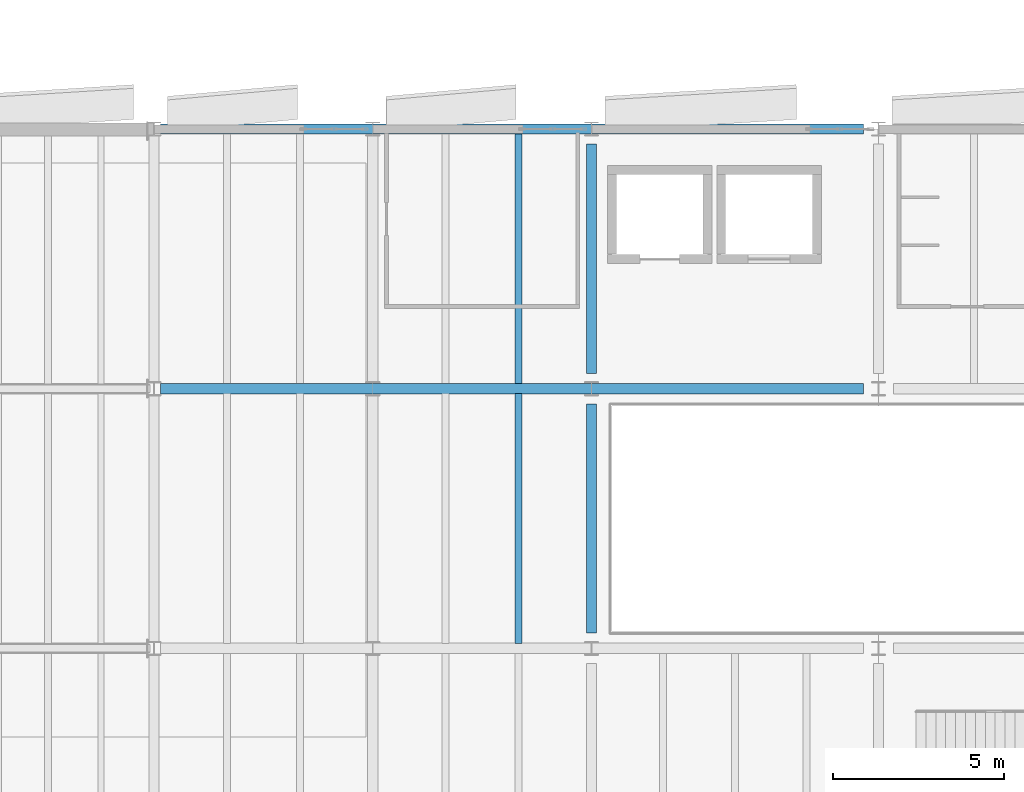
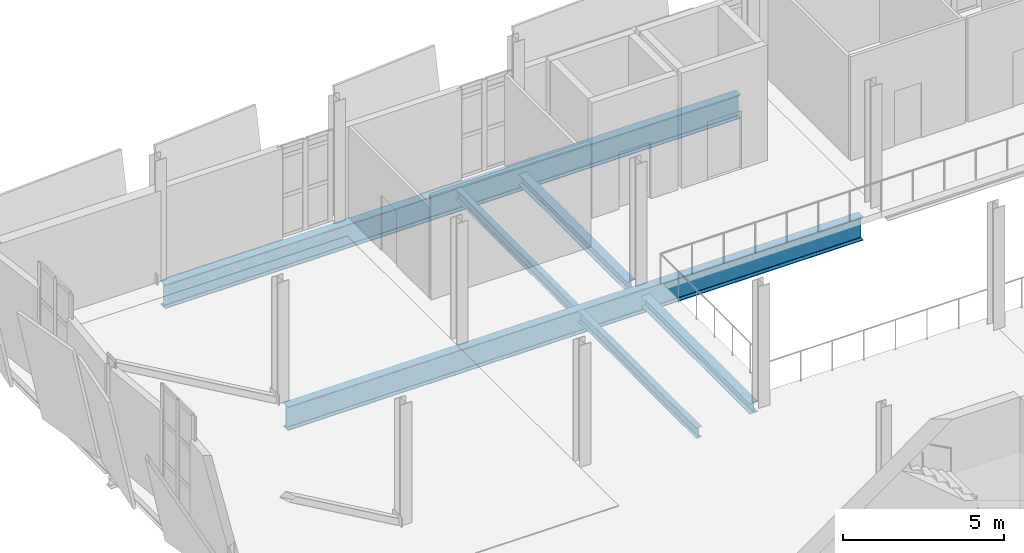
# One storey, part 65 of 172: 6 beams.
"""IFC4 building model written with IfcOpenShell, lengths in metres."""

from ifc_helpers import new_model, si_unit, direction, frame, origin, origin_2d, place, context, subcontext, project, spatial, i_section, extrude, material, material_profile, profile_set, type_object, element, save


model = new_model("IFC4")

# Units and contexts
model_context = context("Model", 3, precision=1e-05, world=origin(), true_north=direction((0.0, 1.0)))
body_context = subcontext(model_context, "Body", "Model", "MODEL_VIEW")
ifc_project = project(units=[si_unit("LENGTHUNIT", "METRE"), si_unit("AREAUNIT", "SQUARE_METRE"), si_unit("VOLUMEUNIT", "CUBIC_METRE"), si_unit("PLANEANGLEUNIT", "RADIAN"), si_unit("MASSUNIT", "GRAM", prefix="KILO")], contexts=[model_context])

# Site, building, storey
site_placement = place(None, origin())
site = spatial("IfcSite", under=ifc_project, at=site_placement, CompositionType="ELEMENT")
building_placement = place(site_placement, origin())
building = spatial("IfcBuilding", under=site, at=building_placement, Name="Shengluoqiao Park Theatre", CompositionType="ELEMENT")
storey_placement = place(building_placement, frame((0.0, 0.0, 5.39990234375)))
storey = spatial("IfcBuildingStorey", under=building, at=storey_placement, Name="L01", CompositionType="ELEMENT", Elevation=5.39990234375)

# Beams
ifc_material_1 = material(Name="Steel Q355", Category="steel")
ifc_material_profile_1 = material_profile(ifc_material_1, i_section(OverallWidth=0.300048828125, OverallDepth=0.389892578125, WebThickness=0.010009765625, FlangeThickness=0.01611328125, FilletRadius=0.01806640625, at=origin_2d()), Name="HM 390x300x10x16")
ifc_profile_set_1 = profile_set([ifc_material_profile_1], Name="Steel Q355")
beam_type_1 = type_object("IfcBeamType", Name="STR-BM-G-HM390", PredefinedType="BEAM", material=ifc_profile_set_1)
beam_1_placement = place(storey_placement, frame((19.199951171875, 61.243896484375, -0.434814453125), z_axis=(0.0, 1.0, 0.0), x_axis=(-1.0, 0.0, 0.0)))
element("IfcBeam", 1, at=beam_1_placement, inside=storey, type_object=beam_type_1, Name="L01 Transverse Girder 00464", PredefinedType="BEAM", context=body_context, shape_type="SweptSolid", body=[
    extrude(i_section(OverallWidth=0.300048828125, OverallDepth=0.389892578125, WebThickness=0.010009765625, FlangeThickness=0.01611328125, FilletRadius=0.01806640625, at=origin_2d()), origin(), (0.0, 0.0, 1.0), 6.712158203125),
])
beam_2_placement = place(storey_placement, frame((19.199951171875, 68.843994140625, -0.434814453125), z_axis=(0.0, 1.0, 0.0), x_axis=(-1.0, 0.0, 0.0)))
element("IfcBeam", 2, at=beam_2_placement, inside=storey, type_object=beam_type_1, Name="L01 Transverse Girder 00465", PredefinedType="BEAM", context=body_context, shape_type="SweptSolid", body=[
    extrude(i_section(OverallWidth=0.300048828125, OverallDepth=0.389892578125, WebThickness=0.010009765625, FlangeThickness=0.01611328125, FilletRadius=0.01806640625, at=origin_2d()), origin(), (0.0, 0.0, 1.0), 6.7119140625),
])
ifc_material_2 = material(Name="Steel Q390", Category="steel")
ifc_material_profile_2 = material_profile(ifc_material_2, i_section(OverallWidth=0.300048828125, OverallDepth=0.89990234375, WebThickness=0.01611328125, FlangeThickness=0.028076171875, FilletRadius=0.028076171875, at=origin_2d()), Name="HN 900x300x16x28")
ifc_profile_set_2 = profile_set([ifc_material_profile_2], Name="Steel Q390")
beam_type_2 = type_object("IfcBeamType", Name="STR-BM-G-HN900", PredefinedType="BEAM", material=ifc_profile_set_2)
for number, where, z_axis, x_axis, name in (
    (3, (6.590576171875, 68.39990234375, -0.68994140625), (1.0, 0.0, 0.0), (0.0, 1.0, 0.0), "CT-V5-2 L01 Continuous Back-Span Chord"),
    (4, (6.590576171875, 76.0, -0.68994140625), (1.0, 0.0, 0.0), (0.0, 1.0, 0.0), "CT-V5-3 L01 Continuous Back-Span Chord"),
):
    element("IfcBeam", number, at=place(storey_placement, frame(where, z_axis=z_axis, x_axis=x_axis)), inside=storey, type_object=beam_type_2, Name=name, PredefinedType="BEAM", context=body_context, shape_type="SweptSolid", body=[
        extrude(i_section(OverallWidth=0.300048828125, OverallDepth=0.89990234375, WebThickness=0.01611328125, FlangeThickness=0.028076171875, FilletRadius=0.028076171875, at=origin_2d()), origin(), (0.0, 0.0, 1.0), 20.571533203125),
    ])
ifc_material_profile_3 = material_profile(ifc_material_1, i_section(OverallWidth=0.199951171875, OverallDepth=0.39990234375, WebThickness=0.008056640625, FlangeThickness=0.012939453125, FilletRadius=0.01611328125, at=origin_2d()), Name="HN 400x200x8x13")
ifc_profile_set_3 = profile_set([ifc_material_profile_3], Name="Steel Q355")
beam_type_3 = type_object("IfcBeamType", Name="STR-BM-J-HN400", PredefinedType="JOIST", material=ifc_profile_set_3)
beam_3_placement = place(storey_placement, frame((17.066650390625, 60.945068359375, -0.43994140625), z_axis=(0.0, 1.0, 0.0), x_axis=(-1.0, 0.0, 0.0)))
element("IfcBeam", 5, at=beam_3_placement, inside=storey, type_object=beam_type_3, Name="L01 Composite Joist 00477", PredefinedType="JOIST", context=body_context, shape_type="SweptSolid", body=[
    extrude(i_section(OverallWidth=0.199951171875, OverallDepth=0.39990234375, WebThickness=0.008056640625, FlangeThickness=0.012939453125, FilletRadius=0.01611328125, at=origin_2d()), origin(), (0.0, 0.0, 1.0), 7.309814453125),
])
beam_4_placement = place(storey_placement, frame((17.066650390625, 68.544921875, -0.43994140625), z_axis=(0.0, 1.0, 0.0), x_axis=(-1.0, 0.0, 0.0)))
element("IfcBeam", 6, at=beam_4_placement, inside=storey, type_object=beam_type_3, Name="L01 Composite Joist 00479", PredefinedType="JOIST", context=body_context, shape_type="SweptSolid", body=[
    extrude(i_section(OverallWidth=0.199951171875, OverallDepth=0.39990234375, WebThickness=0.008056640625, FlangeThickness=0.012939453125, FilletRadius=0.01611328125, at=origin_2d()), origin(), (0.0, 0.0, 1.0), 7.31005859375),
])

save(model, "model.ifc")
